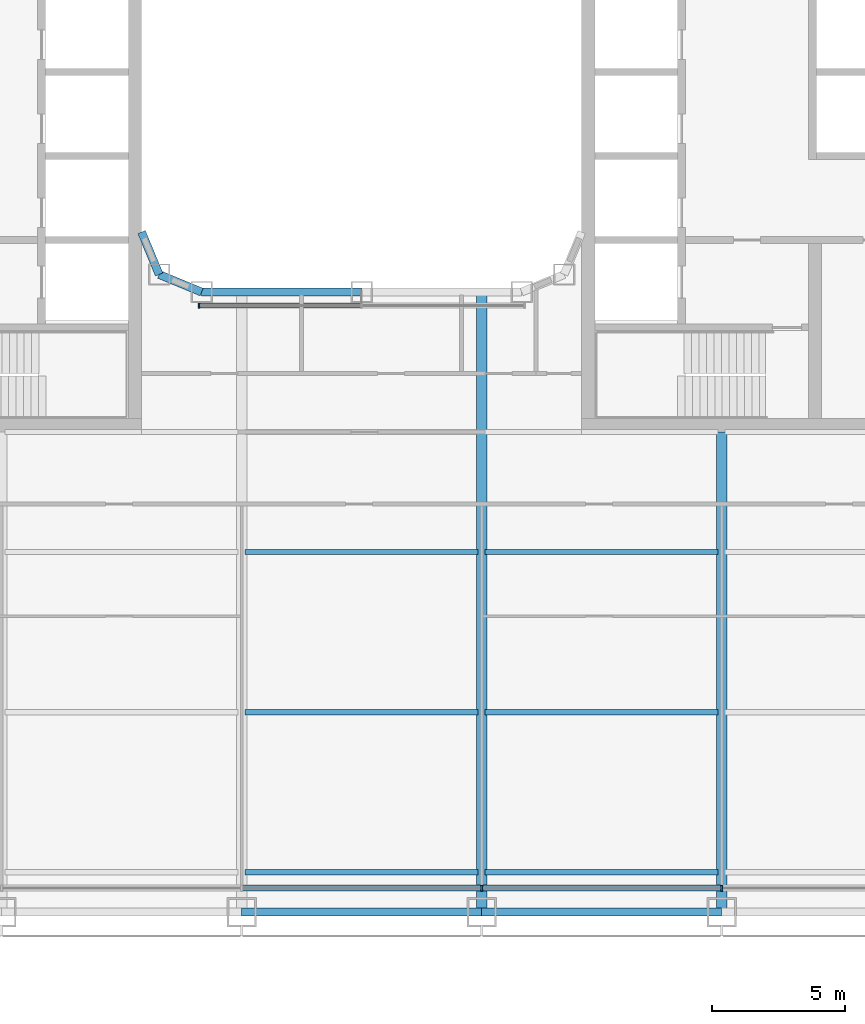
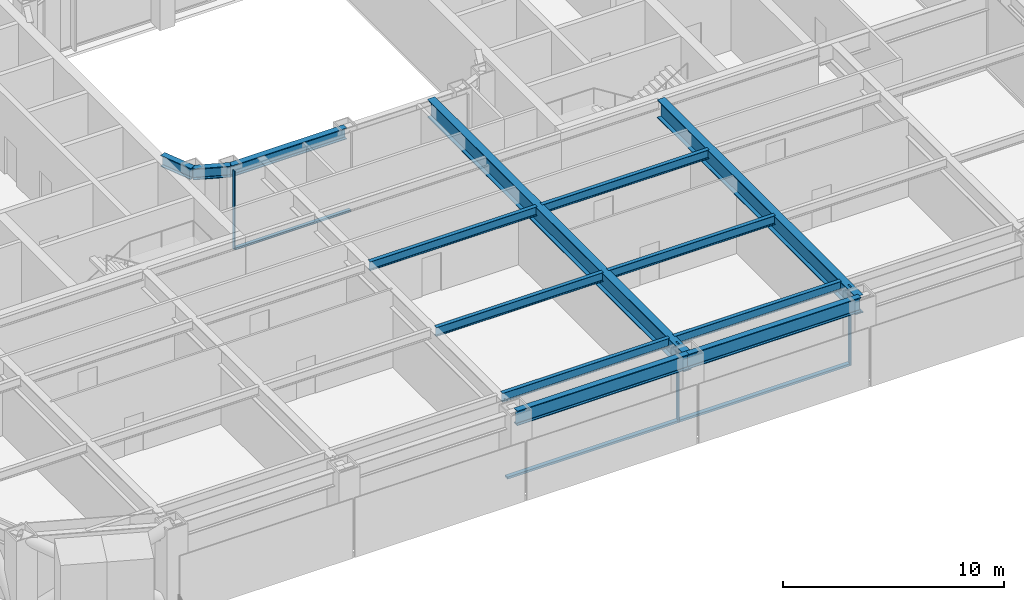
# One storey, part 3 of 27: 13 beams, 6 members, 2 elements without a shape of their own.
"""IFC4 building model written with IfcOpenShell, lengths in metres."""

from ifc_helpers import new_model, si_unit, direction, frame, origin, origin_2d, place, context, subcontext, project, spatial, rectangle, i_section, extrude, material, layer, layer_set, material_profile, profile_set, type_object, element, aggregate, save


model = new_model("IFC4")

# Units and contexts
model_context = context("Model", 3, precision=1e-05, world=origin(), true_north=direction((0.0, 1.0)))
body_context = subcontext(model_context, "Body", "Model", "MODEL_VIEW")
ifc_project = project(units=[si_unit("LENGTHUNIT", "METRE"), si_unit("AREAUNIT", "SQUARE_METRE"), si_unit("VOLUMEUNIT", "CUBIC_METRE"), si_unit("PLANEANGLEUNIT", "RADIAN"), si_unit("MASSUNIT", "GRAM", prefix="KILO")], contexts=[model_context])

# Site, building, storey
site_placement = place(None, origin())
site = spatial("IfcSite", under=ifc_project, at=site_placement, CompositionType="ELEMENT")
building_placement = place(site_placement, origin())
building = spatial("IfcBuilding", under=site, at=building_placement, Name="Siwar Civic Tower", CompositionType="ELEMENT")
storey_placement = place(building_placement, frame((0.0, 0.0, 35.699951171875)))
storey = spatial("IfcBuildingStorey", under=building, at=storey_placement, Name="L07", CompositionType="ELEMENT", Elevation=35.699951171875)

# Curtain wall, members
ifc_material_1 = material(Name="Aluminium and glass", Category="aluminium")
ifc_layer_1 = layer(ifc_material_1, 0.219970703125)
ifc_layer_set_1 = layer_set([ifc_layer_1], Name="Aluminium and glass")
curtain_wall_type_1 = type_object("IfcCurtainWallType", Name="ENV-CW-A", PredefinedType="NOTDEFINED", material=ifc_layer_set_1)
curtain_wall_1_placement = place(storey_placement, origin())
curtain_wall_1 = element("IfcCurtainWall", 1, at=curtain_wall_1_placement, inside=storey, type_object=curtain_wall_type_1, Name="Curtain wall A S", PredefinedType="NOTDEFINED")
ifc_material_2 = material(Name="Aluminium 6063-T6", Category="aluminium")
ifc_material_profile_1 = material_profile(ifc_material_2, rectangle(XDim=0.219970703125, YDim=0.070068359375, at=origin_2d()), Name="AL 220x70")
ifc_profile_set_1 = profile_set([ifc_material_profile_1], Name="Aluminium 6063-T6")
member_type_1 = type_object("IfcMemberType", Name="ENV-MULLION-A", PredefinedType="MULLION", material=ifc_profile_set_1)
member_1_placement = place(storey_placement, frame((4.5, -30.60009765625, 0.0), z_axis=(0.0, 0.0, 1.0), x_axis=(0.0, 1.0, 0.0)))
member_1 = element("IfcMember", 2, at=member_1_placement, type_object=member_type_1, Name="Mullion A S 4", PredefinedType="MULLION", context=body_context, shape_type="SweptSolid", body=[
    extrude(rectangle(XDim=0.219970703125, YDim=0.070068359375, at=origin_2d()), origin(), (0.0, 0.0, 1.0), 4.35009765625),
])
member_2_placement = place(storey_placement, frame((13.5, -30.60009765625, 0.0), z_axis=(0.0, 0.0, 1.0), x_axis=(0.0, 1.0, 0.0)))
member_2 = element("IfcMember", 3, at=member_2_placement, type_object=member_type_1, Name="Mullion A S 5", PredefinedType="MULLION", context=body_context, shape_type="SweptSolid", body=[
    extrude(rectangle(XDim=0.219970703125, YDim=0.070068359375, at=origin_2d()), origin(), (0.0, 0.0, 1.0), 4.35009765625),
])

# Curtain wall, member
ifc_material_3 = material(Name="Aluminium and glass", Category="aluminium")
ifc_layer_2 = layer(ifc_material_3, 0.179931640625)
ifc_layer_set_2 = layer_set([ifc_layer_2], Name="Aluminium and glass")
curtain_wall_type_2 = type_object("IfcCurtainWallType", Name="ENV-CW-W", PredefinedType="NOTDEFINED", material=ifc_layer_set_2)
curtain_wall_2_placement = place(storey_placement, origin())
curtain_wall_2 = element("IfcCurtainWall", 4, at=curtain_wall_2_placement, inside=storey, type_object=curtain_wall_type_2, Name="Curtain wall W WS", PredefinedType="NOTDEFINED")
ifc_material_4 = material(Name="Aluminium 6063-T6", Category="aluminium")
ifc_material_profile_2 = material_profile(ifc_material_4, rectangle(XDim=0.179931640625, YDim=0.06005859375, at=origin_2d()), Name="AL 180x60")
ifc_profile_set_2 = profile_set([ifc_material_profile_2], Name="Aluminium 6063-T6")
member_type_2 = type_object("IfcMemberType", Name="ENV-MULLION-W", PredefinedType="MULLION", material=ifc_profile_set_2)
member_3_placement = place(storey_placement, frame((-6.1015625, -8.760009765625, 0.0), z_axis=(0.0, 0.0, 1.0), x_axis=(0.0, 1.0, 0.0)))
member_3 = element("IfcMember", 5, at=member_3_placement, type_object=member_type_2, Name="Mullion W WS 1", PredefinedType="MULLION", context=body_context, shape_type="SweptSolid", body=[
    extrude(rectangle(XDim=0.179931640625, YDim=0.06005859375, at=origin_2d()), origin(), (0.0, 0.0, 1.0), 4.35009765625),
])

# Member
ifc_material_5 = material(Name="Aluminium 6063-T6", Category="aluminium")
ifc_material_profile_3 = material_profile(ifc_material_5, rectangle(XDim=0.219970703125, YDim=0.1201171875, at=origin_2d()), Name="AL 220x120")
ifc_profile_set_3 = profile_set([ifc_material_profile_3], Name="Aluminium 6063-T6")
member_type_3 = type_object("IfcMemberType", Name="ENV-TRANSOM-A", PredefinedType="USERDEFINED", material=ifc_profile_set_3)
member_4_placement = place(storey_placement, frame((-4.465087890625, -30.60009765625, 0.06005859375), z_axis=(1.0, 0.0, 0.0), x_axis=(0.0, 1.0, 0.0)))
member_4 = element("IfcMember", 6, at=member_4_placement, type_object=member_type_3, Name="Transom A S 3", ObjectType="TRANSOM", PredefinedType="USERDEFINED", context=body_context, shape_type="SweptSolid", body=[
    extrude(rectangle(XDim=0.219970703125, YDim=0.1201171875, at=origin_2d()), origin(), (0.0, 0.0, 1.0), 8.93017578125),
])

member_5_placement = place(storey_placement, frame((4.534912109375, -30.60009765625, 0.06005859375), z_axis=(1.0, 0.0, 0.0), x_axis=(0.0, 1.0, 0.0)))
member_5 = element("IfcMember", 7, at=member_5_placement, type_object=member_type_3, Name="Transom A S 4", ObjectType="TRANSOM", PredefinedType="USERDEFINED", context=body_context, shape_type="SweptSolid", body=[
    extrude(rectangle(XDim=0.219970703125, YDim=0.1201171875, at=origin_2d()), origin(), (0.0, 0.0, 1.0), 8.93017578125),
])

aggregate(curtain_wall_1, [member_1, member_2, member_4, member_5])

ifc_material_6 = material(Name="Aluminium 6063-T6", Category="aluminium")
ifc_material_profile_4 = material_profile(ifc_material_6, rectangle(XDim=0.179931640625, YDim=0.10009765625, at=origin_2d()), Name="AL 180x100")
ifc_profile_set_4 = profile_set([ifc_material_profile_4], Name="Aluminium 6063-T6")
member_type_4 = type_object("IfcMemberType", Name="ENV-TRANSOM-W", PredefinedType="USERDEFINED", material=ifc_profile_set_4)
member_6_placement = place(storey_placement, frame((-6.071533203125, -8.760009765625, 0.050048828125), z_axis=(1.0, 0.0, 0.0), x_axis=(0.0, 1.0, 0.0)))
member_6 = element("IfcMember", 8, at=member_6_placement, type_object=member_type_4, Name="Transom W WS 1", ObjectType="TRANSOM", PredefinedType="USERDEFINED", context=body_context, shape_type="SweptSolid", body=[
    extrude(rectangle(XDim=0.179931640625, YDim=0.10009765625, at=origin_2d()), origin(), (0.0, 0.0, 1.0), 6.04150390625),
])

aggregate(curtain_wall_2, [member_3, member_6])

# Beams
ifc_material_7 = material(Name="Steel S355", Category="steel")
ifc_material_profile_5 = material_profile(ifc_material_7, i_section(OverallWidth=0.199951171875, OverallDepth=0.5, WebThickness=0.01025390625, FlangeThickness=0.01611328125, FilletRadius=0.02099609375, at=origin_2d()), Name="IPE500")
ifc_profile_set_5 = profile_set([ifc_material_profile_5], Name="Steel S355")
beam_type_1 = type_object("IfcBeamType", Name="STR-FB-IPE500", PredefinedType="JOIST", material=ifc_profile_set_5)
for number, where, z_axis, x_axis, name in (
    (9, (-4.3701171875, -30.0, 4.10009765625), (1.0, 0.0, 0.0), (0.0, 1.0, 0.0), "L07/bm/F004"),
    (10, (4.6298828125, -30.0, 4.10009765625), (1.0, 0.0, 0.0), (0.0, 1.0, 0.0), "L07/bm/F005"),
    (11, (-4.3701171875, -24.0, 4.10009765625), (1.0, 0.0, 0.0), (0.0, 1.0, 0.0), "L07/bm/F011"),
    (12, (4.6298828125, -24.0, 4.10009765625), (1.0, 0.0, 0.0), (0.0, 1.0, 0.0), "L07/bm/F012"),
    (13, (-4.3701171875, -18.0, 4.10009765625), (1.0, 0.0, 0.0), (0.0, 1.0, 0.0), "L07/bm/F018"),
    (14, (4.6298828125, -18.0, 4.10009765625), (1.0, 0.0, 0.0), (0.0, 1.0, 0.0), "L07/bm/F019"),
):
    element("IfcBeam", number, at=place(storey_placement, frame(where, z_axis=z_axis, x_axis=x_axis)), inside=storey, type_object=beam_type_1, Name=name, PredefinedType="JOIST", context=body_context, shape_type="SweptSolid", body=[
        extrude(i_section(OverallWidth=0.199951171875, OverallDepth=0.5, WebThickness=0.01025390625, FlangeThickness=0.01611328125, FilletRadius=0.02099609375, at=origin_2d()), origin(), (0.0, 0.0, 1.0), 8.740234375),
    ])
ifc_material_8 = material(Name="Steel S355", Category="steel")
ifc_material_profile_6 = material_profile(ifc_material_8, i_section(OverallWidth=0.39990234375, OverallDepth=1.0, WebThickness=0.01611328125, FlangeThickness=0.0400390625, at=origin_2d()), Name="PG1000x400x16x40")
ifc_profile_set_6 = profile_set([ifc_material_profile_6], Name="Steel S355")
beam_type_2 = type_object("IfcBeamType", Name="STR-PG-PG1000x400x16x40", PredefinedType="BEAM", material=ifc_profile_set_6)
beam_1_placement = place(storey_placement, frame((4.5, -31.5, 3.85009765625), z_axis=(0.0, 1.0, 0.0), x_axis=(-1.0, 0.0, 0.0)))
element("IfcBeam", 15, at=beam_1_placement, inside=storey, type_object=beam_type_2, Name="L07/bm/G07", PredefinedType="BEAM", context=body_context, shape_type="SweptSolid", body=[
    extrude(i_section(OverallWidth=0.39990234375, OverallDepth=1.0, WebThickness=0.01611328125, FlangeThickness=0.0400390625, at=origin_2d()), origin(), (0.0, 0.0, 1.0), 23.25),
])
beam_2_placement = place(storey_placement, frame((13.5, -31.5, 3.85009765625), z_axis=(0.0, 1.0, 0.0), x_axis=(-1.0, 0.0, 0.0)))
element("IfcBeam", 16, at=beam_2_placement, inside=storey, type_object=beam_type_2, Name="L07/bm/G09", PredefinedType="BEAM", context=body_context, shape_type="SweptSolid", body=[
    extrude(i_section(OverallWidth=0.39990234375, OverallDepth=1.0, WebThickness=0.01611328125, FlangeThickness=0.0400390625, at=origin_2d()), origin(), (0.0, 0.0, 1.0), 18.0),
])
ifc_material_9 = material(Name="Steel S355", Category="steel")
ifc_material_profile_7 = material_profile(ifc_material_9, i_section(OverallWidth=0.304931640625, OverallDepth=0.6201171875, WebThickness=0.02099609375, FlangeThickness=0.0400390625, FilletRadius=0.027099609375, at=origin_2d()), Name="HEM600")
ifc_profile_set_7 = profile_set([ifc_material_profile_7], Name="Steel S355")
beam_type_3 = type_object("IfcBeamType", Name="STR-RB-HEM600", PredefinedType="BEAM", material=ifc_profile_set_7)
beam_3_placement = place(storey_placement, frame((-7.591064453125, -7.591064453125, 4.0400390625), z_axis=(0.923901072997, -0.382631424892, 0.0), x_axis=(0.382631424892, 0.923901072997, 0.0)))
element("IfcBeam", 17, at=beam_3_placement, inside=storey, type_object=beam_type_3, Name="L07/bm/RS0", PredefinedType="BEAM", context=body_context, shape_type="SweptSolid", body=[
    extrude(i_section(OverallWidth=0.304931640625, OverallDepth=0.6201171875, WebThickness=0.02099609375, FlangeThickness=0.0400390625, FilletRadius=0.027099609375, at=origin_2d()), origin(), (0.0, 0.0, 1.0), 1.72216796875),
])
beam_4_placement = place(storey_placement, frame((-6.0, -8.25, 4.0400390625), z_axis=(1.0, 0.0, 0.0), x_axis=(0.0, 1.0, 0.0)))
element("IfcBeam", 18, at=beam_4_placement, inside=storey, type_object=beam_type_3, Name="L07/bm/RS1", PredefinedType="BEAM", context=body_context, shape_type="SweptSolid", body=[
    extrude(i_section(OverallWidth=0.304931640625, OverallDepth=0.6201171875, WebThickness=0.02099609375, FlangeThickness=0.0400390625, FilletRadius=0.027099609375, at=origin_2d()), origin(), (0.0, 0.0, 1.0), 6.0),
])
beam_5_placement = place(storey_placement, frame((-7.591064453125, -7.591064453125, 4.0400390625), z_axis=(-0.382631424892, 0.923901072997, 0.0), x_axis=(-0.923901072997, -0.382631424892, 0.0)))
element("IfcBeam", 19, at=beam_5_placement, inside=storey, type_object=beam_type_3, Name="L07/bm/RSEW", PredefinedType="BEAM", context=body_context, shape_type="SweptSolid", body=[
    extrude(i_section(OverallWidth=0.304931640625, OverallDepth=0.6201171875, WebThickness=0.02099609375, FlangeThickness=0.0400390625, FilletRadius=0.027099609375, at=origin_2d()), origin(), (0.0, 0.0, 1.0), 1.72216796875),
])
ifc_material_10 = material(Name="Steel S355", Category="steel")
ifc_material_profile_8 = material_profile(ifc_material_10, i_section(OverallWidth=0.302978515625, OverallDepth=0.81396484375, WebThickness=0.02099609375, FlangeThickness=0.0400390625, FilletRadius=0.030029296875, at=origin_2d()), Name="HEM800")
ifc_profile_set_8 = profile_set([ifc_material_profile_8], Name="Steel S355")
beam_type_4 = type_object("IfcBeamType", Name="STR-SB-HEM800", PredefinedType="BEAM", material=ifc_profile_set_8)
for number, where, z_axis, x_axis, name in (
    (20, (-4.5, -31.5, 3.943115234375), (1.0, 0.0, 0.0), (0.0, 1.0, 0.0), "L07/bm/SS-2"),
    (21, (4.5, -31.5, 3.943115234375), (1.0, 0.0, 0.0), (0.0, 1.0, 0.0), "L07/bm/SS-3"),
):
    element("IfcBeam", number, at=place(storey_placement, frame(where, z_axis=z_axis, x_axis=x_axis)), inside=storey, type_object=beam_type_4, Name=name, PredefinedType="BEAM", context=body_context, shape_type="SweptSolid", body=[
        extrude(i_section(OverallWidth=0.302978515625, OverallDepth=0.81396484375, WebThickness=0.02099609375, FlangeThickness=0.0400390625, FilletRadius=0.030029296875, at=origin_2d()), origin(), (0.0, 0.0, 1.0), 9.0),
    ])

save(model, "model.ifc")
